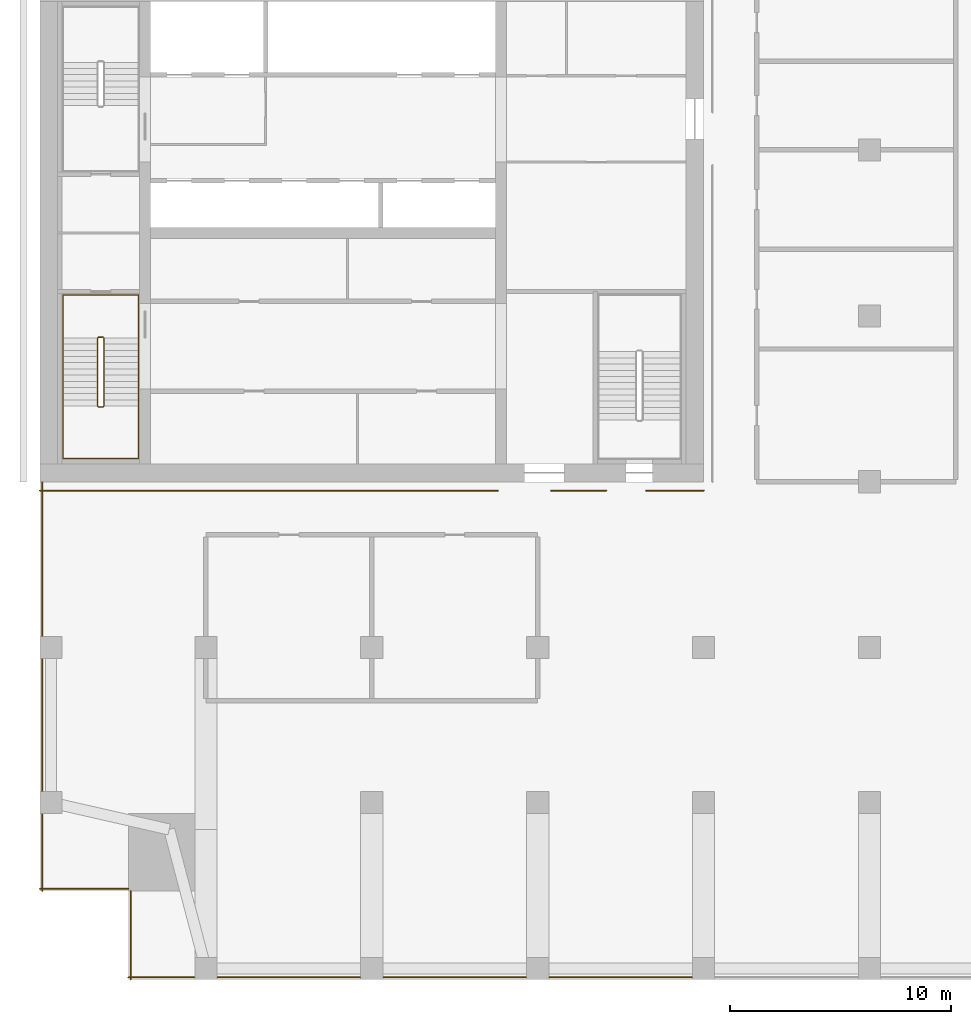
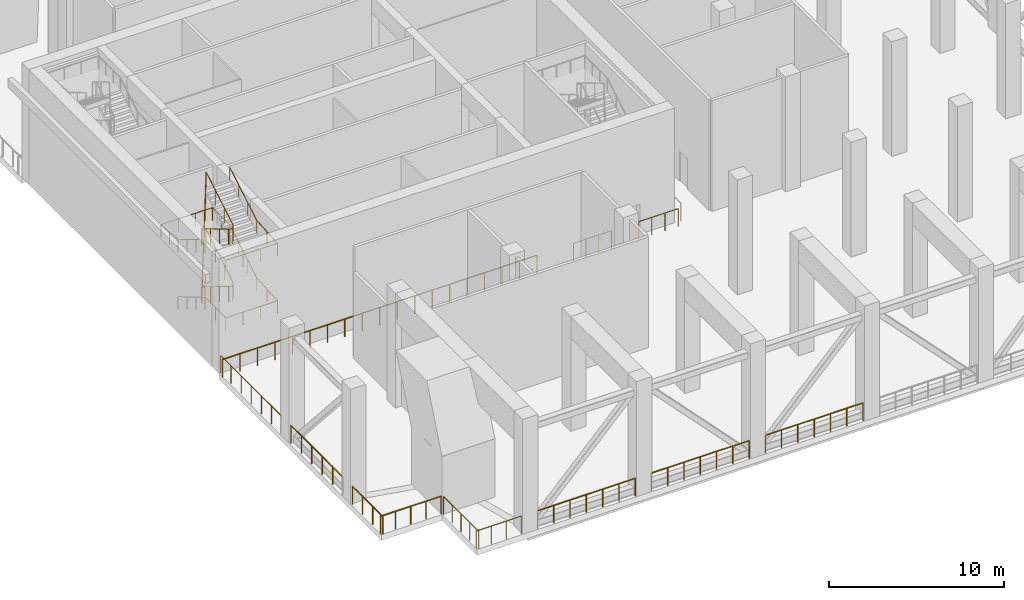
# One storey, part 9 of 12: 14 railings.
"""IFC4 building model written with IfcOpenShell, lengths in metres."""

from ifc_helpers import new_model, si_unit, direction, frame, origin, origin_2d, place, context, subcontext, project, spatial, circle, extrude, material, type_object, element, save


model = new_model("IFC4")

# Units and contexts
model_context = context("Model", 3, precision=1e-05, world=origin(), true_north=direction((0.0, 1.0)))
body_context = subcontext(model_context, "Body", "Model", "MODEL_VIEW")
ifc_project = project(units=[si_unit("LENGTHUNIT", "METRE"), si_unit("AREAUNIT", "SQUARE_METRE"), si_unit("VOLUMEUNIT", "CUBIC_METRE"), si_unit("PLANEANGLEUNIT", "RADIAN"), si_unit("MASSUNIT", "GRAM", prefix="KILO")], contexts=[model_context])

# Site, building, storey
site_placement = place(None, origin())
site = spatial("IfcSite", under=ifc_project, at=site_placement, CompositionType="ELEMENT")
building_placement = place(site_placement, origin())
building = spatial("IfcBuilding", under=site, at=building_placement, Name="Tamorin Gate", CompositionType="ELEMENT")
storey_placement = place(building_placement, frame((0.0, 0.0, 166.199951171875)))
storey = spatial("IfcBuildingStorey", under=building, at=storey_placement, Name="L41", CompositionType="ELEMENT", Elevation=166.199951171875)

# Railings
ifc_material_1 = material(Name="Painted steel balustrade", Category="steel")
railing_type_1 = type_object("IfcRailingType", Name="Stair guard 1100", PredefinedType="GUARDRAIL", material=ifc_material_1)
railing_1_placement = place(storey_placement, frame((32.60009765625, 66.5, 0.166748046875)))
element("IfcRailing", 1, at=railing_1_placement, inside=storey, type_object=railing_type_1, Name="L41 ST1 stair guard 1", PredefinedType="GUARDRAIL", context=body_context, shape_type="SweptSolid", body=[
    extrude(circle(Radius=0.02392578125, at=origin_2d()), frame((0.0, 0.0, 1.076171875), z_axis=(0.0, -0.859308565015, 0.511457515432), x_axis=(1.0, 0.0, 0.0)), (0.0, 0.0, 1.0), 3.58447265625),
    extrude(circle(Radius=0.02392578125, at=origin_2d()), frame((0.0, -3.080078125, 2.9091796875), z_axis=(0.707106781187, -0.707106781187, 0.0), x_axis=(0.707106781187, 0.707106781187, 0.0)), (0.0, 0.0, 1.0), 0.0703125),
    extrude(circle(Radius=0.02392578125, at=origin_2d()), frame((0.0498046875, -3.1298828125, 2.9091796875), z_axis=(1.0, 0.0, 0.0), x_axis=(0.0, 1.0, 0.0)), (0.0, 0.0, 1.0), 0.2001953125),
    extrude(circle(Radius=0.02392578125, at=origin_2d()), frame((0.25, -3.1298828125, 2.9091796875), z_axis=(0.275143339093, 0.275143339093, 0.92119068922), x_axis=(-0.707106781187, 0.707106781187, 0.0)), (0.0, 0.0, 1.0), 0.180908203125),
    extrude(circle(Radius=0.02392578125, at=origin_2d()), frame((0.2998046875, -3.080078125, 3.076171875), z_axis=(0.0, 0.859308565015, 0.511457515432), x_axis=(-1.0, 0.0, 0.0)), (0.0, 0.0, 1.0), 3.58447265625),
    extrude(circle(Radius=0.02392578125, at=origin_2d()), frame((0.2998046875, 0.0, 4.9091796875), z_axis=(-0.98054382908, 0.196300278283, 0.0), x_axis=(-0.196300278283, -0.98054382908, 0.0)), (0.0, 0.0, 1.0), 0.2548828125),
    extrude(circle(Radius=0.02392578125, at=origin_2d()), frame((0.0498046875, 0.050048828125, 4.9091796875), z_axis=(1.0, 0.0, 0.0), x_axis=(0.0, 1.0, 0.0)), (0.0, 0.0, 1.0), 0.2001953125),
    extrude(circle(Radius=0.02392578125, at=origin_2d()), frame((0.25, 0.050048828125, 4.9091796875), z_axis=(-0.820621892478, -0.164284656209, 0.547348391174), x_axis=(0.196300278283, -0.98054382908, 0.0)), (0.0, 0.0, 1.0), 0.3046875),
    extrude(circle(Radius=0.02392578125, at=origin_2d()), frame((0.0, 0.0, 5.076171875), z_axis=(0.0, -0.859308565015, 0.511457515432), x_axis=(1.0, 0.0, 0.0)), (0.0, 0.0, 1.0), 3.58447265625),
    extrude(circle(Radius=0.02392578125, at=origin_2d()), frame((0.0, -3.080078125, 6.9091796875), z_axis=(0.707106781187, -0.707106781187, 0.0), x_axis=(0.707106781187, 0.707106781187, 0.0)), (0.0, 0.0, 1.0), 0.0703125),
    extrude(circle(Radius=0.02392578125, at=origin_2d()), frame((0.0498046875, -3.1298828125, 6.9091796875), z_axis=(1.0, 0.0, 0.0), x_axis=(0.0, 1.0, 0.0)), (0.0, 0.0, 1.0), 0.2001953125),
    extrude(circle(Radius=0.02392578125, at=origin_2d()), frame((0.25, -3.1298828125, 6.9091796875), z_axis=(0.275143339093, 0.275143339093, 0.92119068922), x_axis=(-0.707106781187, 0.707106781187, 0.0)), (0.0, 0.0, 1.0), 0.180908203125),
    extrude(circle(Radius=0.02392578125, at=origin_2d()), frame((0.2998046875, -3.080078125, 7.076171875), z_axis=(0.0, 0.859308565015, 0.511457515432), x_axis=(-1.0, 0.0, 0.0)), (0.0, 0.0, 1.0), 3.58447265625),
    extrude(circle(Radius=0.02392578125, at=origin_2d()), frame((0.2998046875, 0.0, 8.9091796875), z_axis=(-0.031234141746, 0.006252928768, -0.999492535876), x_axis=(-0.196300278283, -0.98054382908, 0.0)), (0.0, 0.0, 1.0), 8.004150390625),
    extrude(circle(Radius=0.02392578125, at=origin_2d()), frame((0.0498046875, 0.050048828125, 0.9091796875), z_axis=(1.0, 0.0, 0.0), x_axis=(0.0, 1.0, 0.0)), (0.0, 0.0, 1.0), 0.2001953125),
    extrude(circle(Radius=0.02099609375, at=origin_2d()), origin(), (0.0, 0.0, 1.0), 1.052001953125),
    extrude(circle(Radius=0.02099609375, at=origin_2d()), frame((0.0, -1.026611328125, 0.611083984375)), (0.0, 0.0, 1.0), 1.052001953125),
    extrude(circle(Radius=0.02099609375, at=origin_2d()), frame((0.0, -2.053466796875, 1.22216796875)), (0.0, 0.0, 1.0), 1.052001953125),
    extrude(circle(Radius=0.02099609375, at=origin_2d()), frame((0.0, -3.080078125, 1.833251953125)), (0.0, 0.0, 1.0), 1.052001953125),
    extrude(circle(Radius=0.02099609375, at=origin_2d()), frame((0.0498046875, -3.1298828125, 1.833251953125)), (0.0, 0.0, 1.0), 1.052001953125),
    extrude(circle(Radius=0.02099609375, at=origin_2d()), frame((0.25, -3.1298828125, 1.833251953125)), (0.0, 0.0, 1.0), 1.052001953125),
    extrude(circle(Radius=0.02099609375, at=origin_2d()), frame((0.2998046875, -3.080078125, 2.0)), (0.0, 0.0, 1.0), 1.052001953125),
    extrude(circle(Radius=0.02099609375, at=origin_2d()), frame((0.2998046875, -2.053466796875, 2.611083984375)), (0.0, 0.0, 1.0), 1.052001953125),
    extrude(circle(Radius=0.02099609375, at=origin_2d()), frame((0.2998046875, -1.026611328125, 3.22216796875)), (0.0, 0.0, 1.0), 1.052001953125),
    extrude(circle(Radius=0.02099609375, at=origin_2d()), frame((0.2998046875, 0.0, 3.833251953125)), (0.0, 0.0, 1.0), 1.052001953125),
    extrude(circle(Radius=0.02099609375, at=origin_2d()), frame((0.0498046875, 0.050048828125, 3.833251953125)), (0.0, 0.0, 1.0), 1.052001953125),
    extrude(circle(Radius=0.02099609375, at=origin_2d()), frame((0.25, 0.050048828125, 3.833251953125)), (0.0, 0.0, 1.0), 1.052001953125),
    extrude(circle(Radius=0.02099609375, at=origin_2d()), frame((0.0, 0.0, 4.0)), (0.0, 0.0, 1.0), 1.052001953125),
    extrude(circle(Radius=0.02099609375, at=origin_2d()), frame((0.0, -1.026611328125, 4.611083984375)), (0.0, 0.0, 1.0), 1.052001953125),
    extrude(circle(Radius=0.02099609375, at=origin_2d()), frame((0.0, -2.053466796875, 5.22216796875)), (0.0, 0.0, 1.0), 1.052001953125),
    extrude(circle(Radius=0.02099609375, at=origin_2d()), frame((0.0, -3.080078125, 5.833251953125)), (0.0, 0.0, 1.0), 1.052001953125),
    extrude(circle(Radius=0.02099609375, at=origin_2d()), frame((0.0498046875, -3.1298828125, 5.833251953125)), (0.0, 0.0, 1.0), 1.052001953125),
    extrude(circle(Radius=0.02099609375, at=origin_2d()), frame((0.25, -3.1298828125, 5.833251953125)), (0.0, 0.0, 1.0), 1.052001953125),
    extrude(circle(Radius=0.02099609375, at=origin_2d()), frame((0.2998046875, -3.080078125, 6.0)), (0.0, 0.0, 1.0), 1.052001953125),
    extrude(circle(Radius=0.02099609375, at=origin_2d()), frame((0.2998046875, -2.053466796875, 6.611083984375)), (0.0, 0.0, 1.0), 1.052001953125),
    extrude(circle(Radius=0.02099609375, at=origin_2d()), frame((0.2998046875, -1.026611328125, 7.22216796875)), (0.0, 0.0, 1.0), 1.052001953125),
    extrude(circle(Radius=0.02099609375, at=origin_2d()), frame((0.2998046875, 0.0, 7.833251953125)), (0.0, 0.0, 1.0), 1.052001953125),
    extrude(circle(Radius=0.02099609375, at=origin_2d()), frame((0.26416015625, 0.007080078125, 6.6904296875)), (0.0, 0.0, 1.0), 1.052001953125),
    extrude(circle(Radius=0.02099609375, at=origin_2d()), frame((0.228271484375, 0.014404296875, 5.547607421875)), (0.0, 0.0, 1.0), 1.052001953125),
    extrude(circle(Radius=0.02099609375, at=origin_2d()), frame((0.192626953125, 0.021484375, 4.40478515625)), (0.0, 0.0, 1.0), 1.052001953125),
    extrude(circle(Radius=0.02099609375, at=origin_2d()), frame((0.156982421875, 0.028564453125, 3.26171875)), (0.0, 0.0, 1.0), 1.052001953125),
    extrude(circle(Radius=0.02099609375, at=origin_2d()), frame((0.121337890625, 0.03564453125, 2.118896484375)), (0.0, 0.0, 1.0), 1.052001953125),
    extrude(circle(Radius=0.02099609375, at=origin_2d()), frame((0.08544921875, 0.04296875, 0.97607421875)), (0.0, 0.0, 1.0), 1.052001953125),
    extrude(circle(Radius=0.02099609375, at=origin_2d()), frame((0.0498046875, 0.050048828125, -0.166748046875)), (0.0, 0.0, 1.0), 1.052001953125),
    extrude(circle(Radius=0.02099609375, at=origin_2d()), frame((0.25, 0.050048828125, -0.166748046875)), (0.0, 0.0, 1.0), 1.052001953125),
])
ifc_material_2 = material(Name="Painted steel handrail", Category="steel")
railing_type_2 = type_object("IfcRailingType", Name="Stair handrail 900", PredefinedType="HANDRAIL", material=ifc_material_2)
railing_2_placement = place(storey_placement, frame((31.050048828125, 66.5, 0.166748046875)))
element("IfcRailing", 2, at=railing_2_placement, inside=storey, type_object=railing_type_2, Name="L41 ST1 stair handrail 1", PredefinedType="HANDRAIL", context=body_context, shape_type="SweptSolid", body=[
    extrude(circle(Radius=0.02392578125, at=origin_2d()), frame((0.0, 0.0, 0.8759765625), z_axis=(0.0, -0.859308565015, 0.511457515432), x_axis=(1.0, 0.0, 0.0)), (0.0, 0.0, 1.0), 3.58447265625),
    extrude(circle(Radius=0.02392578125, at=origin_2d()), frame((0.0, -3.080078125, 2.708984375), z_axis=(0.0, -1.0, 0.0), x_axis=(1.0, 0.0, 0.0)), (0.0, 0.0, 1.0), 2.369873046875),
    extrude(circle(Radius=0.02392578125, at=origin_2d()), frame((0.0, -5.449951171875, 2.708984375), z_axis=(1.0, 0.0, 0.0), x_axis=(0.0, 1.0, 0.0)), (0.0, 0.0, 1.0), 3.39990234375),
    extrude(circle(Radius=0.02392578125, at=origin_2d()), frame((3.39990234375, -5.449951171875, 2.708984375), z_axis=(0.0, 0.997533776475, 0.070188067305), x_axis=(-1.0, 0.0, 0.0)), (0.0, 0.0, 1.0), 2.375732421875),
    extrude(circle(Radius=0.02392578125, at=origin_2d()), frame((3.39990234375, -3.080078125, 2.8759765625), z_axis=(0.0, 0.859308565015, 0.511457515432), x_axis=(-1.0, 0.0, 0.0)), (0.0, 0.0, 1.0), 3.58447265625),
    extrude(circle(Radius=0.02392578125, at=origin_2d()), frame((3.39990234375, 0.0, 4.708984375), z_axis=(0.0, 1.0, 0.0), x_axis=(-1.0, 0.0, 0.0)), (0.0, 0.0, 1.0), 1.949951171875),
    extrude(circle(Radius=0.02392578125, at=origin_2d()), frame((3.39990234375, 1.949951171875, 4.708984375), z_axis=(-1.0, 0.0, 0.0), x_axis=(0.0, -1.0, 0.0)), (0.0, 0.0, 1.0), 3.39990234375),
    extrude(circle(Radius=0.02392578125, at=origin_2d()), frame((0.0, 1.949951171875, 4.708984375), z_axis=(0.0, -0.996363612883, 0.085202998322), x_axis=(1.0, 0.0, 0.0)), (0.0, 0.0, 1.0), 1.95703125),
    extrude(circle(Radius=0.02392578125, at=origin_2d()), frame((0.0, 0.0, 4.8759765625), z_axis=(0.0, -0.859308565015, 0.511457515432), x_axis=(1.0, 0.0, 0.0)), (0.0, 0.0, 1.0), 3.58447265625),
    extrude(circle(Radius=0.02392578125, at=origin_2d()), frame((0.0, -3.080078125, 6.708984375), z_axis=(0.0, -1.0, 0.0), x_axis=(1.0, 0.0, 0.0)), (0.0, 0.0, 1.0), 2.369873046875),
    extrude(circle(Radius=0.02392578125, at=origin_2d()), frame((0.0, -5.449951171875, 6.708984375), z_axis=(1.0, 0.0, 0.0), x_axis=(0.0, 1.0, 0.0)), (0.0, 0.0, 1.0), 3.39990234375),
    extrude(circle(Radius=0.02392578125, at=origin_2d()), frame((3.39990234375, -5.449951171875, 6.708984375), z_axis=(0.0, 0.997533776475, 0.070188067305), x_axis=(-1.0, 0.0, 0.0)), (0.0, 0.0, 1.0), 2.375732421875),
    extrude(circle(Radius=0.02392578125, at=origin_2d()), frame((3.39990234375, -3.080078125, 6.8759765625), z_axis=(0.0, 0.859308565015, 0.511457515432), x_axis=(-1.0, 0.0, 0.0)), (0.0, 0.0, 1.0), 3.58447265625),
    extrude(circle(Radius=0.02099609375, at=origin_2d()), origin(), (0.0, 0.0, 1.0), 0.851806640625),
    extrude(circle(Radius=0.02099609375, at=origin_2d()), frame((0.0, -1.026611328125, 0.611083984375)), (0.0, 0.0, 1.0), 0.851806640625),
    extrude(circle(Radius=0.02099609375, at=origin_2d()), frame((0.0, -2.053466796875, 1.22216796875)), (0.0, 0.0, 1.0), 0.851806640625),
    extrude(circle(Radius=0.02099609375, at=origin_2d()), frame((0.0, -3.080078125, 1.833251953125)), (0.0, 0.0, 1.0), 0.851806640625),
    extrude(circle(Radius=0.02099609375, at=origin_2d()), frame((0.0, -4.26513671875, 1.833251953125)), (0.0, 0.0, 1.0), 0.851806640625),
    extrude(circle(Radius=0.02099609375, at=origin_2d()), frame((0.0, -5.449951171875, 1.833251953125)), (0.0, 0.0, 1.0), 0.851806640625),
    extrude(circle(Radius=0.02099609375, at=origin_2d()), frame((1.13330078125, -5.449951171875, 1.833251953125)), (0.0, 0.0, 1.0), 0.851806640625),
    extrude(circle(Radius=0.02099609375, at=origin_2d()), frame((2.2666015625, -5.449951171875, 1.833251953125)), (0.0, 0.0, 1.0), 0.851806640625),
    extrude(circle(Radius=0.02099609375, at=origin_2d()), frame((3.39990234375, -5.449951171875, 1.833251953125)), (0.0, 0.0, 1.0), 0.851806640625),
    extrude(circle(Radius=0.02099609375, at=origin_2d()), frame((3.39990234375, -4.26513671875, 1.91650390625)), (0.0, 0.0, 1.0), 0.851806640625),
    extrude(circle(Radius=0.02099609375, at=origin_2d()), frame((3.39990234375, -3.080078125, 2.0)), (0.0, 0.0, 1.0), 0.851806640625),
    extrude(circle(Radius=0.02099609375, at=origin_2d()), frame((3.39990234375, -2.053466796875, 2.611083984375)), (0.0, 0.0, 1.0), 0.851806640625),
    extrude(circle(Radius=0.02099609375, at=origin_2d()), frame((3.39990234375, -1.026611328125, 3.22216796875)), (0.0, 0.0, 1.0), 0.851806640625),
    extrude(circle(Radius=0.02099609375, at=origin_2d()), frame((3.39990234375, 0.0, 3.833251953125)), (0.0, 0.0, 1.0), 0.851806640625),
    extrude(circle(Radius=0.02099609375, at=origin_2d()), frame((3.39990234375, 0.97509765625, 3.833251953125)), (0.0, 0.0, 1.0), 0.851806640625),
    extrude(circle(Radius=0.02099609375, at=origin_2d()), frame((3.39990234375, 1.949951171875, 3.833251953125)), (0.0, 0.0, 1.0), 0.851806640625),
    extrude(circle(Radius=0.02099609375, at=origin_2d()), frame((2.2666015625, 1.949951171875, 3.833251953125)), (0.0, 0.0, 1.0), 0.851806640625),
    extrude(circle(Radius=0.02099609375, at=origin_2d()), frame((1.13330078125, 1.949951171875, 3.833251953125)), (0.0, 0.0, 1.0), 0.851806640625),
    extrude(circle(Radius=0.02099609375, at=origin_2d()), frame((0.0, 1.949951171875, 3.833251953125)), (0.0, 0.0, 1.0), 0.851806640625),
    extrude(circle(Radius=0.02099609375, at=origin_2d()), frame((0.0, 0.97509765625, 3.91650390625)), (0.0, 0.0, 1.0), 0.851806640625),
    extrude(circle(Radius=0.02099609375, at=origin_2d()), frame((0.0, 0.0, 4.0)), (0.0, 0.0, 1.0), 0.851806640625),
    extrude(circle(Radius=0.02099609375, at=origin_2d()), frame((0.0, -1.026611328125, 4.611083984375)), (0.0, 0.0, 1.0), 0.851806640625),
    extrude(circle(Radius=0.02099609375, at=origin_2d()), frame((0.0, -2.053466796875, 5.22216796875)), (0.0, 0.0, 1.0), 0.851806640625),
    extrude(circle(Radius=0.02099609375, at=origin_2d()), frame((0.0, -3.080078125, 5.833251953125)), (0.0, 0.0, 1.0), 0.851806640625),
    extrude(circle(Radius=0.02099609375, at=origin_2d()), frame((0.0, -4.26513671875, 5.833251953125)), (0.0, 0.0, 1.0), 0.851806640625),
    extrude(circle(Radius=0.02099609375, at=origin_2d()), frame((0.0, -5.449951171875, 5.833251953125)), (0.0, 0.0, 1.0), 0.851806640625),
    extrude(circle(Radius=0.02099609375, at=origin_2d()), frame((1.13330078125, -5.449951171875, 5.833251953125)), (0.0, 0.0, 1.0), 0.851806640625),
    extrude(circle(Radius=0.02099609375, at=origin_2d()), frame((2.2666015625, -5.449951171875, 5.833251953125)), (0.0, 0.0, 1.0), 0.851806640625),
    extrude(circle(Radius=0.02099609375, at=origin_2d()), frame((3.39990234375, -5.449951171875, 5.833251953125)), (0.0, 0.0, 1.0), 0.851806640625),
    extrude(circle(Radius=0.02099609375, at=origin_2d()), frame((3.39990234375, -4.26513671875, 5.91650390625)), (0.0, 0.0, 1.0), 0.851806640625),
    extrude(circle(Radius=0.02099609375, at=origin_2d()), frame((3.39990234375, -3.080078125, 6.0)), (0.0, 0.0, 1.0), 0.851806640625),
    extrude(circle(Radius=0.02099609375, at=origin_2d()), frame((3.39990234375, -2.053466796875, 6.611083984375)), (0.0, 0.0, 1.0), 0.851806640625),
    extrude(circle(Radius=0.02099609375, at=origin_2d()), frame((3.39990234375, -1.026611328125, 7.22216796875)), (0.0, 0.0, 1.0), 0.851806640625),
    extrude(circle(Radius=0.02099609375, at=origin_2d()), frame((3.39990234375, 0.0, 7.833251953125)), (0.0, 0.0, 1.0), 0.851806640625),
])
ifc_material_3 = material(Name="Stainless steel", Category="steel")
railing_type_3 = type_object("IfcRailingType", Name="Wind floor guard 1250", PredefinedType="GUARDRAIL", material=ifc_material_3)
railing_3_placement = place(storey_placement, frame((34.0, 37.60009765625, 0.0)))
element("IfcRailing", 3, at=railing_3_placement, inside=storey, type_object=railing_type_3, Name="Open edge guard", PredefinedType="GUARDRAIL", context=body_context, shape_type="SweptSolid", body=[
    extrude(circle(Radius=0.02392578125, at=origin_2d()), frame((0.0, 0.0, 1.22607421875), z_axis=(1.0, 0.0, 0.0), x_axis=(0.0, 1.0, 0.0)), (0.0, 0.0, 1.0), 2.969970703125),
    extrude(circle(Radius=0.02099609375, at=origin_2d()), origin(), (0.0, 0.0, 1.0), 1.201904296875),
    extrude(circle(Radius=0.02099609375, at=origin_2d()), frame((0.989990234375, 0.0, 0.0)), (0.0, 0.0, 1.0), 1.201904296875),
    extrude(circle(Radius=0.02099609375, at=origin_2d()), frame((1.97998046875, 0.0, 0.0)), (0.0, 0.0, 1.0), 1.201904296875),
    extrude(circle(Radius=0.02099609375, at=origin_2d()), frame((2.969970703125, 0.0, 0.0)), (0.0, 0.0, 1.0), 1.201904296875),
])
for number, where, name in (
    (4, (38.030029296875, 37.60009765625, 0.0), "Open edge guard"),
    (5, (45.530029296875, 37.60009765625, 0.0), "Open edge guard"),
    (6, (53.030029296875, 37.60009765625, 0.0), "Open edge guard"),
):
    element("IfcRailing", number, at=place(storey_placement, frame(where)), inside=storey, type_object=railing_type_3, Name=name, PredefinedType="GUARDRAIL", context=body_context, shape_type="SweptSolid", body=[
        extrude(circle(Radius=0.02392578125, at=origin_2d()), frame((0.0, 0.0, 1.22607421875), z_axis=(1.0, 0.0, 0.0), x_axis=(0.0, 1.0, 0.0)), (0.0, 0.0, 1.0), 6.43994140625),
        extrude(circle(Radius=0.02099609375, at=origin_2d()), origin(), (0.0, 0.0, 1.0), 1.201904296875),
        extrude(circle(Radius=0.02099609375, at=origin_2d()), frame((1.0732421875, 0.0, 0.0)), (0.0, 0.0, 1.0), 1.201904296875),
        extrude(circle(Radius=0.02099609375, at=origin_2d()), frame((2.146728515625, 0.0, 0.0)), (0.0, 0.0, 1.0), 1.201904296875),
        extrude(circle(Radius=0.02099609375, at=origin_2d()), frame((3.219970703125, 0.0, 0.0)), (0.0, 0.0, 1.0), 1.201904296875),
        extrude(circle(Radius=0.02099609375, at=origin_2d()), frame((4.293212890625, 0.0, 0.0)), (0.0, 0.0, 1.0), 1.201904296875),
        extrude(circle(Radius=0.02099609375, at=origin_2d()), frame((5.36669921875, 0.0, 0.0)), (0.0, 0.0, 1.0), 1.201904296875),
        extrude(circle(Radius=0.02099609375, at=origin_2d()), frame((6.43994140625, 0.0, 0.0)), (0.0, 0.0, 1.0), 1.201904296875),
    ])
railing_4_placement = place(storey_placement, frame((30.10009765625, 59.969970703125, 0.0)))
element("IfcRailing", 7, at=railing_4_placement, inside=storey, type_object=railing_type_3, Name="Open edge guard", PredefinedType="GUARDRAIL", context=body_context, shape_type="SweptSolid", body=[
    extrude(circle(Radius=0.02392578125, at=origin_2d()), frame((0.0, 0.0, 1.22607421875), z_axis=(0.0, -1.0, 0.0), x_axis=(1.0, 0.0, 0.0)), (0.0, 0.0, 1.0), 6.93994140625),
    extrude(circle(Radius=0.02099609375, at=origin_2d()), origin(), (0.0, 0.0, 1.0), 1.201904296875),
    extrude(circle(Radius=0.02099609375, at=origin_2d()), frame((0.0, -1.15673828125, 0.0)), (0.0, 0.0, 1.0), 1.201904296875),
    extrude(circle(Radius=0.02099609375, at=origin_2d()), frame((0.0, -2.313232421875, 0.0)), (0.0, 0.0, 1.0), 1.201904296875),
    extrude(circle(Radius=0.02099609375, at=origin_2d()), frame((0.0, -3.469970703125, 0.0)), (0.0, 0.0, 1.0), 1.201904296875),
    extrude(circle(Radius=0.02099609375, at=origin_2d()), frame((0.0, -4.626708984375, 0.0)), (0.0, 0.0, 1.0), 1.201904296875),
    extrude(circle(Radius=0.02099609375, at=origin_2d()), frame((0.0, -5.783203125, 0.0)), (0.0, 0.0, 1.0), 1.201904296875),
    extrude(circle(Radius=0.02099609375, at=origin_2d()), frame((0.0, -6.93994140625, 0.0)), (0.0, 0.0, 1.0), 1.201904296875),
])
railing_5_placement = place(storey_placement, frame((30.10009765625, 51.969970703125, 0.0)))
element("IfcRailing", 8, at=railing_5_placement, inside=storey, type_object=railing_type_3, Name="Open edge guard", PredefinedType="GUARDRAIL", context=body_context, shape_type="SweptSolid", body=[
    extrude(circle(Radius=0.02392578125, at=origin_2d()), frame((0.0, 0.0, 1.22607421875), z_axis=(0.0, -1.0, 0.0), x_axis=(1.0, 0.0, 0.0)), (0.0, 0.0, 1.0), 5.93994140625),
    extrude(circle(Radius=0.02099609375, at=origin_2d()), origin(), (0.0, 0.0, 1.0), 1.201904296875),
    extrude(circle(Radius=0.02099609375, at=origin_2d()), frame((0.0, -1.18798828125, 0.0)), (0.0, 0.0, 1.0), 1.201904296875),
    extrude(circle(Radius=0.02099609375, at=origin_2d()), frame((0.0, -2.3759765625, 0.0)), (0.0, 0.0, 1.0), 1.201904296875),
    extrude(circle(Radius=0.02099609375, at=origin_2d()), frame((0.0, -3.56396484375, 0.0)), (0.0, 0.0, 1.0), 1.201904296875),
    extrude(circle(Radius=0.02099609375, at=origin_2d()), frame((0.0, -4.751953125, 0.0)), (0.0, 0.0, 1.0), 1.201904296875),
    extrude(circle(Radius=0.02099609375, at=origin_2d()), frame((0.0, -5.93994140625, 0.0)), (0.0, 0.0, 1.0), 1.201904296875),
])
railing_6_placement = place(storey_placement, frame((30.10009765625, 44.969970703125, 0.0)))
element("IfcRailing", 9, at=railing_6_placement, inside=storey, type_object=railing_type_3, Name="Open edge guard", PredefinedType="GUARDRAIL", context=body_context, shape_type="SweptSolid", body=[
    extrude(circle(Radius=0.02392578125, at=origin_2d()), frame((0.0, 0.0, 1.22607421875), z_axis=(0.0, -1.0, 0.0), x_axis=(1.0, 0.0, 0.0)), (0.0, 0.0, 1.0), 3.469970703125),
    extrude(circle(Radius=0.02099609375, at=origin_2d()), origin(), (0.0, 0.0, 1.0), 1.201904296875),
    extrude(circle(Radius=0.02099609375, at=origin_2d()), frame((0.0, -1.15673828125, 0.0)), (0.0, 0.0, 1.0), 1.201904296875),
    extrude(circle(Radius=0.02099609375, at=origin_2d()), frame((0.0, -2.313232421875, 0.0)), (0.0, 0.0, 1.0), 1.201904296875),
    extrude(circle(Radius=0.02099609375, at=origin_2d()), frame((0.0, -3.469970703125, 0.0)), (0.0, 0.0, 1.0), 1.201904296875),
])
railing_7_placement = place(storey_placement, frame((30.0, 41.60009765625, 0.0)))
element("IfcRailing", 10, at=railing_7_placement, inside=storey, type_object=railing_type_3, Name="Open edge guard", PredefinedType="GUARDRAIL", context=body_context, shape_type="SweptSolid", body=[
    extrude(circle(Radius=0.02392578125, at=origin_2d()), frame((0.0, 0.0, 1.22607421875), z_axis=(1.0, 0.0, 0.0), x_axis=(0.0, 1.0, 0.0)), (0.0, 0.0, 1.0), 4.0),
    extrude(circle(Radius=0.02099609375, at=origin_2d()), origin(), (0.0, 0.0, 1.0), 1.201904296875),
    extrude(circle(Radius=0.02099609375, at=origin_2d()), frame((1.0, 0.0, 0.0)), (0.0, 0.0, 1.0), 1.201904296875),
    extrude(circle(Radius=0.02099609375, at=origin_2d()), frame((2.0, 0.0, 0.0)), (0.0, 0.0, 1.0), 1.201904296875),
    extrude(circle(Radius=0.02099609375, at=origin_2d()), frame((3.0, 0.0, 0.0)), (0.0, 0.0, 1.0), 1.201904296875),
    extrude(circle(Radius=0.02099609375, at=origin_2d()), frame((4.0, 0.0, 0.0)), (0.0, 0.0, 1.0), 1.201904296875),
])
railing_8_placement = place(storey_placement, frame((34.10009765625, 41.5, 0.0)))
element("IfcRailing", 11, at=railing_8_placement, inside=storey, type_object=railing_type_3, Name="Open edge guard", PredefinedType="GUARDRAIL", context=body_context, shape_type="SweptSolid", body=[
    extrude(circle(Radius=0.02392578125, at=origin_2d()), frame((0.0, 0.0, 1.22607421875), z_axis=(0.0, -1.0, 0.0), x_axis=(1.0, 0.0, 0.0)), (0.0, 0.0, 1.0), 4.0),
    extrude(circle(Radius=0.02099609375, at=origin_2d()), origin(), (0.0, 0.0, 1.0), 1.201904296875),
    extrude(circle(Radius=0.02099609375, at=origin_2d()), frame((0.0, -1.0, 0.0)), (0.0, 0.0, 1.0), 1.201904296875),
    extrude(circle(Radius=0.02099609375, at=origin_2d()), frame((0.0, -2.0, 0.0)), (0.0, 0.0, 1.0), 1.201904296875),
    extrude(circle(Radius=0.02099609375, at=origin_2d()), frame((0.0, -3.0, 0.0)), (0.0, 0.0, 1.0), 1.201904296875),
    extrude(circle(Radius=0.02099609375, at=origin_2d()), frame((0.0, -4.0, 0.0)), (0.0, 0.0, 1.0), 1.201904296875),
])
railing_9_placement = place(storey_placement, frame((30.0, 59.60009765625, 0.0)))
element("IfcRailing", 12, at=railing_9_placement, inside=storey, type_object=railing_type_3, Name="Open edge guard core", PredefinedType="GUARDRAIL", context=body_context, shape_type="SweptSolid", body=[
    extrude(circle(Radius=0.02392578125, at=origin_2d()), frame((0.0, 0.0, 1.22607421875), z_axis=(1.0, 0.0, 0.0), x_axis=(0.0, 1.0, 0.0)), (0.0, 0.0, 1.0), 20.699951171875),
    extrude(circle(Radius=0.02099609375, at=origin_2d()), origin(), (0.0, 0.0, 1.0), 1.201904296875),
    extrude(circle(Radius=0.02099609375, at=origin_2d()), frame((1.14990234375, 0.0, 0.0)), (0.0, 0.0, 1.0), 1.201904296875),
    extrude(circle(Radius=0.02099609375, at=origin_2d()), frame((2.300048828125, 0.0, 0.0)), (0.0, 0.0, 1.0), 1.201904296875),
    extrude(circle(Radius=0.02099609375, at=origin_2d()), frame((3.449951171875, 0.0, 0.0)), (0.0, 0.0, 1.0), 1.201904296875),
    extrude(circle(Radius=0.02099609375, at=origin_2d()), frame((4.60009765625, 0.0, 0.0)), (0.0, 0.0, 1.0), 1.201904296875),
    extrude(circle(Radius=0.02099609375, at=origin_2d()), frame((5.75, 0.0, 0.0)), (0.0, 0.0, 1.0), 1.201904296875),
    extrude(circle(Radius=0.02099609375, at=origin_2d()), frame((6.89990234375, 0.0, 0.0)), (0.0, 0.0, 1.0), 1.201904296875),
    extrude(circle(Radius=0.02099609375, at=origin_2d()), frame((8.050048828125, 0.0, 0.0)), (0.0, 0.0, 1.0), 1.201904296875),
    extrude(circle(Radius=0.02099609375, at=origin_2d()), frame((9.199951171875, 0.0, 0.0)), (0.0, 0.0, 1.0), 1.201904296875),
    extrude(circle(Radius=0.02099609375, at=origin_2d()), frame((10.35009765625, 0.0, 0.0)), (0.0, 0.0, 1.0), 1.201904296875),
    extrude(circle(Radius=0.02099609375, at=origin_2d()), frame((11.5, 0.0, 0.0)), (0.0, 0.0, 1.0), 1.201904296875),
    extrude(circle(Radius=0.02099609375, at=origin_2d()), frame((12.64990234375, 0.0, 0.0)), (0.0, 0.0, 1.0), 1.201904296875),
    extrude(circle(Radius=0.02099609375, at=origin_2d()), frame((13.800048828125, 0.0, 0.0)), (0.0, 0.0, 1.0), 1.201904296875),
    extrude(circle(Radius=0.02099609375, at=origin_2d()), frame((14.949951171875, 0.0, 0.0)), (0.0, 0.0, 1.0), 1.201904296875),
    extrude(circle(Radius=0.02099609375, at=origin_2d()), frame((16.099853515625, 0.0, 0.0)), (0.0, 0.0, 1.0), 1.201904296875),
    extrude(circle(Radius=0.02099609375, at=origin_2d()), frame((17.25, 0.0, 0.0)), (0.0, 0.0, 1.0), 1.201904296875),
    extrude(circle(Radius=0.02099609375, at=origin_2d()), frame((18.39990234375, 0.0, 0.0)), (0.0, 0.0, 1.0), 1.201904296875),
    extrude(circle(Radius=0.02099609375, at=origin_2d()), frame((19.550048828125, 0.0, 0.0)), (0.0, 0.0, 1.0), 1.201904296875),
    extrude(circle(Radius=0.02099609375, at=origin_2d()), frame((20.699951171875, 0.0, 0.0)), (0.0, 0.0, 1.0), 1.201904296875),
])
railing_10_placement = place(storey_placement, frame((53.10009765625, 59.60009765625, 0.0)))
element("IfcRailing", 13, at=railing_10_placement, inside=storey, type_object=railing_type_3, Name="Open edge guard core", PredefinedType="GUARDRAIL", context=body_context, shape_type="SweptSolid", body=[
    extrude(circle(Radius=0.02392578125, at=origin_2d()), frame((0.0, 0.0, 1.22607421875), z_axis=(1.0, 0.0, 0.0), x_axis=(0.0, 1.0, 0.0)), (0.0, 0.0, 1.0), 2.5),
    extrude(circle(Radius=0.02099609375, at=origin_2d()), origin(), (0.0, 0.0, 1.0), 1.201904296875),
    extrude(circle(Radius=0.02099609375, at=origin_2d()), frame((0.833251953125, 0.0, 0.0)), (0.0, 0.0, 1.0), 1.201904296875),
    extrude(circle(Radius=0.02099609375, at=origin_2d()), frame((1.666748046875, 0.0, 0.0)), (0.0, 0.0, 1.0), 1.201904296875),
    extrude(circle(Radius=0.02099609375, at=origin_2d()), frame((2.5, 0.0, 0.0)), (0.0, 0.0, 1.0), 1.201904296875),
])
railing_11_placement = place(storey_placement, frame((57.39990234375, 59.60009765625, 0.0)))
element("IfcRailing", 14, at=railing_11_placement, inside=storey, type_object=railing_type_3, Name="Open edge guard core", PredefinedType="GUARDRAIL", context=body_context, shape_type="SweptSolid", body=[
    extrude(circle(Radius=0.02392578125, at=origin_2d()), frame((0.0, 0.0, 1.22607421875), z_axis=(1.0, 0.0, 0.0), x_axis=(0.0, 1.0, 0.0)), (0.0, 0.0, 1.0), 2.60009765625),
    extrude(circle(Radius=0.02099609375, at=origin_2d()), origin(), (0.0, 0.0, 1.0), 1.201904296875),
    extrude(circle(Radius=0.02099609375, at=origin_2d()), frame((0.86669921875, 0.0, 0.0)), (0.0, 0.0, 1.0), 1.201904296875),
    extrude(circle(Radius=0.02099609375, at=origin_2d()), frame((1.7333984375, 0.0, 0.0)), (0.0, 0.0, 1.0), 1.201904296875),
    extrude(circle(Radius=0.02099609375, at=origin_2d()), frame((2.60009765625, 0.0, 0.0)), (0.0, 0.0, 1.0), 1.201904296875),
])

save(model, "model.ifc")
